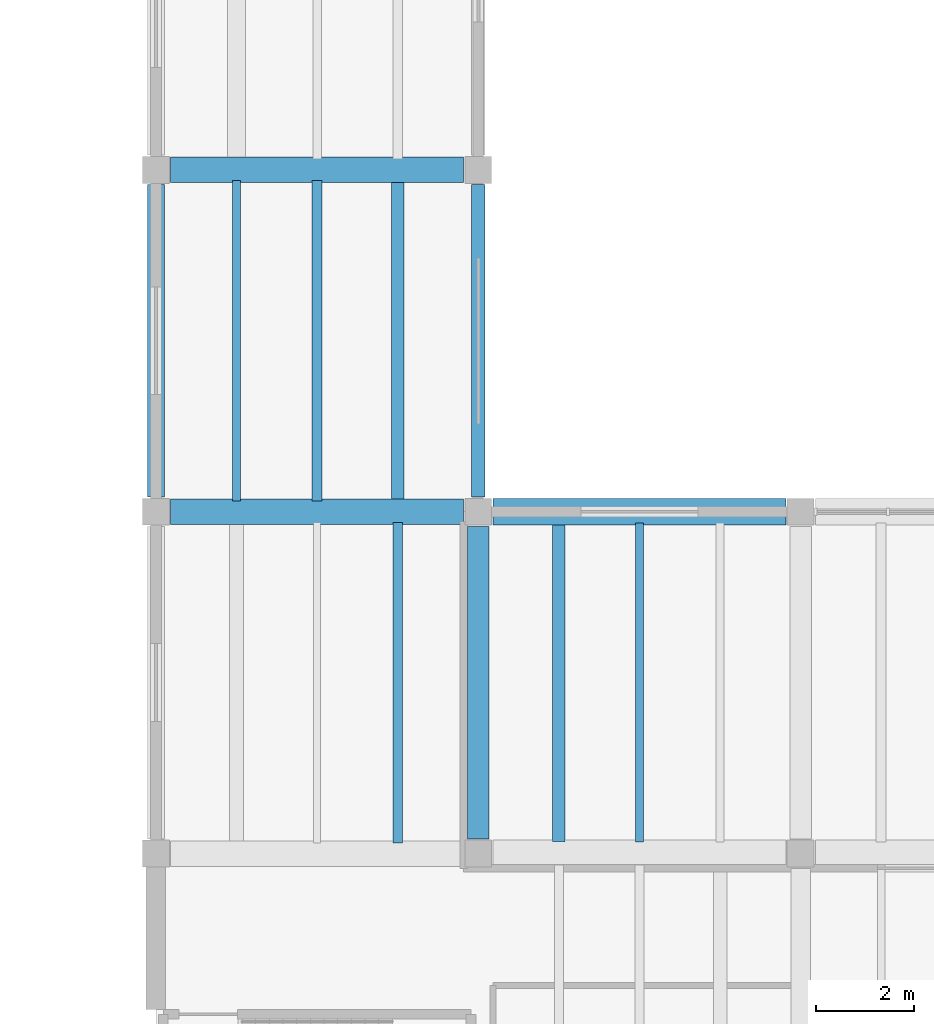
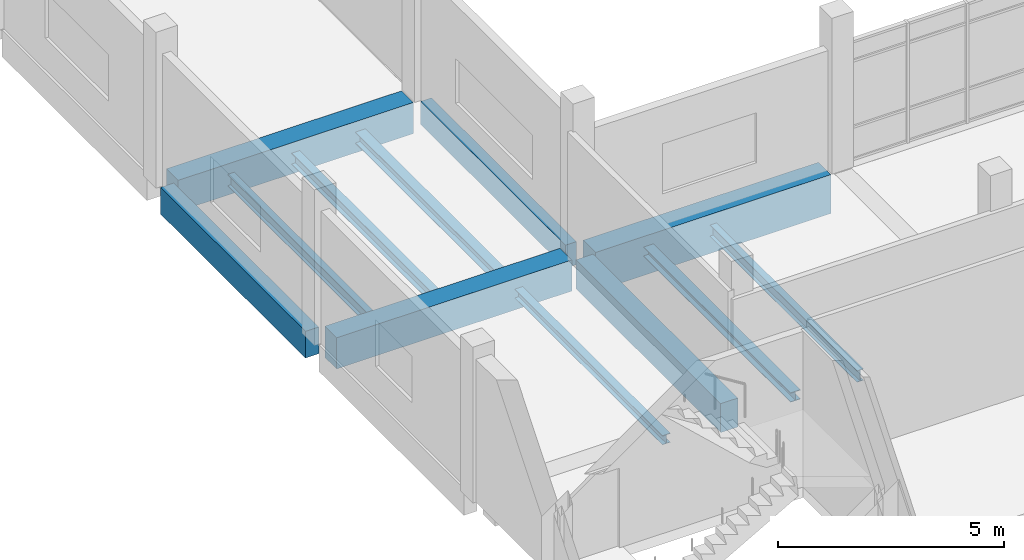
# One storey, part 9 of 67: 12 beams.
"""IFC4 building model written with IfcOpenShell, lengths in metres."""

from ifc_helpers import new_model, si_unit, direction, frame, origin, origin_2d, place, context, subcontext, project, spatial, rectangle, i_section, extrude, material, material_profile, profile_set, type_object, element, save


model = new_model("IFC4")

# Units and contexts
model_context = context("Model", 3, precision=1e-05, world=origin(), true_north=direction((0.0, 1.0)))
body_context = subcontext(model_context, "Body", "Model", "MODEL_VIEW")
ifc_project = project(units=[si_unit("LENGTHUNIT", "METRE"), si_unit("AREAUNIT", "SQUARE_METRE"), si_unit("VOLUMEUNIT", "CUBIC_METRE"), si_unit("PLANEANGLEUNIT", "RADIAN"), si_unit("MASSUNIT", "GRAM", prefix="KILO")], contexts=[model_context])

# Site, building, storey
site_placement = place(None, origin())
site = spatial("IfcSite", under=ifc_project, at=site_placement, CompositionType="ELEMENT")
building_placement = place(site_placement, origin())
building = spatial("IfcBuilding", under=site, at=building_placement, Name="Ciguamira Faculty of Natural Sciences", CompositionType="ELEMENT")
storey_placement = place(building_placement, frame((0.0, 0.0, 8.39990234375)))
storey = spatial("IfcBuildingStorey", under=building, at=storey_placement, Name="L02", CompositionType="ELEMENT", Elevation=8.39990234375)

# Beams
ifc_material_1 = material(Name="Concrete C40/50", Category="concrete")
ifc_material_profile_1 = material_profile(ifc_material_1, rectangle(XDim=0.550048828125, YDim=1.050048828125, at=origin_2d()), Name="RC-BM-550X1050")
ifc_profile_set_1 = profile_set([ifc_material_profile_1], Name="Concrete C40/50")
beam_type_1 = type_object("IfcBeamType", Name="RCBeam_BG-01_RC-BM-550X1050", PredefinedType="BEAM", material=ifc_profile_set_1)
beam_1_placement = place(storey_placement, frame((64.199951171875, 59.0, -0.52490234375), z_axis=(1.0, 0.0, 0.0), x_axis=(0.0, 1.0, 0.0)))
element("IfcBeam", 1, at=beam_1_placement, inside=storey, type_object=beam_type_1, Name="L02 RC girder EW-0802", PredefinedType="BEAM", context=body_context, shape_type="SweptSolid", body=[
    extrude(rectangle(XDim=0.550048828125, YDim=1.050048828125, at=origin_2d()), origin(), (0.0, 0.0, 1.0), 6.0),
])
ifc_material_profile_2 = material_profile(ifc_material_1, rectangle(XDim=0.43994140625, YDim=0.780029296875, at=origin_2d()), Name="RC-BM-440X780")
ifc_profile_set_2 = profile_set([ifc_material_profile_2], Name="Concrete C40/50")
beam_type_2 = type_object("IfcBeamType", Name="RCBeam_BG-06_RC-BM-440X780", PredefinedType="BEAM", material=ifc_profile_set_2)
beam_2_placement = place(storey_placement, frame((63.89990234375, 52.300048828125, -0.389892578125), z_axis=(0.0, 1.0, 0.0), x_axis=(-1.0, 0.0, 0.0)))
element("IfcBeam", 2, at=beam_2_placement, inside=storey, type_object=beam_type_2, Name="L02 girder NS-0912", PredefinedType="BEAM", context=body_context, shape_type="SweptSolid", body=[
    extrude(rectangle(XDim=0.43994140625, YDim=0.780029296875, at=origin_2d()), origin(), (0.0, 0.0, 1.0), 6.39990234375),
])
ifc_material_2 = material(Name="Precast concrete C40/50", Category="concrete")
ifc_material_profile_3 = material_profile(ifc_material_2, rectangle(XDim=0.280029296875, YDim=0.6201171875, at=origin_2d()), Name="RC-SP-280X620")
ifc_profile_set_3 = profile_set([ifc_material_profile_3], Name="Precast concrete C40/50")
beam_type_3 = type_object("IfcBeamType", Name="RCBeam_SP-01_RC-SP-280X620", PredefinedType="SPANDREL", material=ifc_profile_set_3)
beam_3_placement = place(storey_placement, frame((63.89990234375, 59.300048828125, -0.309814453125), z_axis=(0.0, 1.0, 0.0), x_axis=(-1.0, 0.0, 0.0)))
element("IfcBeam", 3, at=beam_3_placement, inside=storey, type_object=beam_type_3, Name="L02 girder NS-0913", PredefinedType="SPANDREL", context=body_context, shape_type="SweptSolid", body=[
    extrude(rectangle(XDim=0.280029296875, YDim=0.6201171875, at=origin_2d()), origin(), (0.0, 0.0, 1.0), 6.39990234375),
])
ifc_material_profile_4 = material_profile(ifc_material_2, rectangle(XDim=0.340087890625, YDim=0.719970703125, at=origin_2d()), Name="RC-SP-340X720")
ifc_profile_set_4 = profile_set([ifc_material_profile_4], Name="Precast concrete C40/50")
beam_type_4 = type_object("IfcBeamType", Name="RCBeam_SP-03_RC-SP-340X720", PredefinedType="SPANDREL", material=ifc_profile_set_4)
beam_4_placement = place(storey_placement, frame((57.300048828125, 59.300048828125, -0.35986328125), z_axis=(0.0, 1.0, 0.0), x_axis=(-1.0, 0.0, 0.0)))
element("IfcBeam", 4, at=beam_4_placement, inside=storey, type_object=beam_type_4, Name="L02 girder NS-0901", PredefinedType="SPANDREL", context=body_context, shape_type="SweptSolid", body=[
    extrude(rectangle(XDim=0.340087890625, YDim=0.719970703125, at=origin_2d()), origin(), (0.0, 0.0, 1.0), 6.39990234375),
])
ifc_material_profile_5 = material_profile(ifc_material_1, rectangle(XDim=0.52001953125, YDim=0.840087890625, at=origin_2d()), Name="RC-TB-520X840")
ifc_profile_set_5 = profile_set([ifc_material_profile_5], Name="Concrete C40/50")
beam_type_5 = type_object("IfcBeamType", Name="RCBeam_TB-02_RC-TB-520X840", PredefinedType="T_BEAM", material=ifc_profile_set_5)
for number, where, z_axis, x_axis, name in (
    (5, (57.60009765625, 59.0, -0.419921875), (1.0, 0.0, 0.0), (0.0, 1.0, 0.0), "L02 RC girder EW-0801"),
    (6, (57.60009765625, 66.0, -0.419921875), (1.0, 0.0, 0.0), (0.0, 1.0, 0.0), "L02 RC girder EW-0810"),
):
    element("IfcBeam", number, at=place(storey_placement, frame(where, z_axis=z_axis, x_axis=x_axis)), inside=storey, type_object=beam_type_5, Name=name, PredefinedType="T_BEAM", context=body_context, shape_type="SweptSolid", body=[
        extrude(rectangle(XDim=0.52001953125, YDim=0.840087890625, at=origin_2d()), origin(), (0.0, 0.0, 1.0), 6.0),
    ])
ifc_material_3 = material(Name="Steel ASTM A992 Grade 50", Category="steel")
ifc_material_profile_6 = material_profile(ifc_material_3, i_section(OverallWidth=0.2021484375, OverallDepth=0.2470703125, WebThickness=0.00732421875, FlangeThickness=0.010986328125, at=origin_2d()), Name="W10X33")
ifc_profile_set_6 = profile_set([ifc_material_profile_6], Name="Steel ASTM A992 Grade 50")
beam_type_6 = type_object("IfcBeamType", Name="SteelJoist_SJ-02_W10X33", PredefinedType="JOIST", material=ifc_profile_set_6)
beam_5_placement = place(storey_placement, frame((62.25, 52.219970703125, -0.403564453125), z_axis=(0.0, 1.0, 0.0), x_axis=(-1.0, 0.0, 0.0)))
element("IfcBeam", 7, at=beam_5_placement, inside=storey, type_object=beam_type_6, Name="L02 composite steel joist 00717", PredefinedType="JOIST", context=body_context, shape_type="SweptSolid", body=[
    extrude(i_section(OverallWidth=0.2021484375, OverallDepth=0.2470703125, WebThickness=0.00732421875, FlangeThickness=0.010986328125, at=origin_2d()), origin(), (0.0, 0.0, 1.0), 6.56005859375),
])
ifc_material_profile_7 = material_profile(ifc_material_3, i_section(OverallWidth=0.25390625, OverallDepth=0.25390625, WebThickness=0.008544921875, FlangeThickness=0.01416015625, at=origin_2d()), Name="W10X49")
ifc_profile_set_7 = profile_set([ifc_material_profile_7], Name="Steel ASTM A992 Grade 50")
beam_type_7 = type_object("IfcBeamType", Name="SteelJoist_SJ-03_W10X49", PredefinedType="JOIST", material=ifc_profile_set_7)
beam_6_placement = place(storey_placement, frame((65.550048828125, 52.235107421875, -0.406982421875), z_axis=(0.0, 1.0, 0.0), x_axis=(-1.0, 0.0, 0.0)))
element("IfcBeam", 8, at=beam_6_placement, inside=storey, type_object=beam_type_7, Name="L02 composite steel joist 00748", PredefinedType="JOIST", context=body_context, shape_type="SweptSolid", body=[
    extrude(i_section(OverallWidth=0.25390625, OverallDepth=0.25390625, WebThickness=0.008544921875, FlangeThickness=0.01416015625, at=origin_2d()), origin(), (0.0, 0.0, 1.0), 6.52978515625),
])
ifc_material_profile_8 = material_profile(ifc_material_3, i_section(OverallWidth=0.164794921875, OverallDepth=0.309814453125, WebThickness=0.005859375, FlangeThickness=0.009765625, at=origin_2d()), Name="W12X26")
ifc_profile_set_8 = profile_set([ifc_material_profile_8], Name="Steel ASTM A992 Grade 50")
beam_type_8 = type_object("IfcBeamType", Name="SteelJoist_SJ-04_W12X26", PredefinedType="JOIST", material=ifc_profile_set_8)
beam_7_placement = place(storey_placement, frame((67.199951171875, 52.235107421875, -0.434814453125), z_axis=(0.0, 1.0, 0.0), x_axis=(-1.0, 0.0, 0.0)))
element("IfcBeam", 9, at=beam_7_placement, inside=storey, type_object=beam_type_8, Name="L02 composite steel joist 00749", PredefinedType="JOIST", context=body_context, shape_type="SweptSolid", body=[
    extrude(i_section(OverallWidth=0.164794921875, OverallDepth=0.309814453125, WebThickness=0.005859375, FlangeThickness=0.009765625, at=origin_2d()), origin(), (0.0, 0.0, 1.0), 6.52978515625),
])
ifc_material_profile_9 = material_profile(ifc_material_3, i_section(OverallWidth=0.16650390625, OverallDepth=0.3173828125, WebThickness=0.007568359375, FlangeThickness=0.01318359375, at=origin_2d()), Name="W12X35")
ifc_profile_set_9 = profile_set([ifc_material_profile_9], Name="Steel ASTM A992 Grade 50")
beam_type_9 = type_object("IfcBeamType", Name="SteelJoist_SJ-05_W12X35", PredefinedType="JOIST", material=ifc_profile_set_9)
beam_8_placement = place(storey_placement, frame((58.949951171875, 59.219970703125, -0.438720703125), z_axis=(0.0, 1.0, 0.0), x_axis=(-1.0, 0.0, 0.0)))
element("IfcBeam", 10, at=beam_8_placement, inside=storey, type_object=beam_type_9, Name="L02 composite steel joist 00718", PredefinedType="JOIST", context=body_context, shape_type="SweptSolid", body=[
    extrude(i_section(OverallWidth=0.16650390625, OverallDepth=0.3173828125, WebThickness=0.007568359375, FlangeThickness=0.01318359375, at=origin_2d()), origin(), (0.0, 0.0, 1.0), 6.56005859375),
])
ifc_material_profile_10 = material_profile(ifc_material_3, i_section(OverallWidth=0.20458984375, OverallDepth=0.307373046875, WebThickness=0.008544921875, FlangeThickness=0.0146484375, at=origin_2d()), Name="W12X45")
ifc_profile_set_10 = profile_set([ifc_material_profile_10], Name="Steel ASTM A992 Grade 50")
beam_type_10 = type_object("IfcBeamType", Name="SteelJoist_SJ-06_W12X45", PredefinedType="JOIST", material=ifc_profile_set_10)
beam_9_placement = place(storey_placement, frame((60.60009765625, 59.219970703125, -0.43359375), z_axis=(0.0, 1.0, 0.0), x_axis=(-1.0, 0.0, 0.0)))
element("IfcBeam", 11, at=beam_9_placement, inside=storey, type_object=beam_type_10, Name="L02 composite steel joist 00719", PredefinedType="JOIST", context=body_context, shape_type="SweptSolid", body=[
    extrude(i_section(OverallWidth=0.20458984375, OverallDepth=0.307373046875, WebThickness=0.008544921875, FlangeThickness=0.0146484375, at=origin_2d()), origin(), (0.0, 0.0, 1.0), 6.56005859375),
])
ifc_material_profile_11 = material_profile(ifc_material_3, i_section(OverallWidth=0.25390625, OverallDepth=0.307373046875, WebThickness=0.0087890625, FlangeThickness=0.0146484375, at=origin_2d()), Name="W12X53")
ifc_profile_set_11 = profile_set([ifc_material_profile_11], Name="Steel ASTM A992 Grade 50")
beam_type_11 = type_object("IfcBeamType", Name="SteelJoist_SJ-07_W12X53", PredefinedType="JOIST", material=ifc_profile_set_11)
beam_10_placement = place(storey_placement, frame((62.25, 59.219970703125, -0.43359375), z_axis=(0.0, 1.0, 0.0), x_axis=(-1.0, 0.0, 0.0)))
element("IfcBeam", 12, at=beam_10_placement, inside=storey, type_object=beam_type_11, Name="L02 composite steel joist 00720", PredefinedType="JOIST", context=body_context, shape_type="SweptSolid", body=[
    extrude(i_section(OverallWidth=0.25390625, OverallDepth=0.307373046875, WebThickness=0.0087890625, FlangeThickness=0.0146484375, at=origin_2d()), origin(), (0.0, 0.0, 1.0), 6.56005859375),
])

save(model, "model.ifc")
